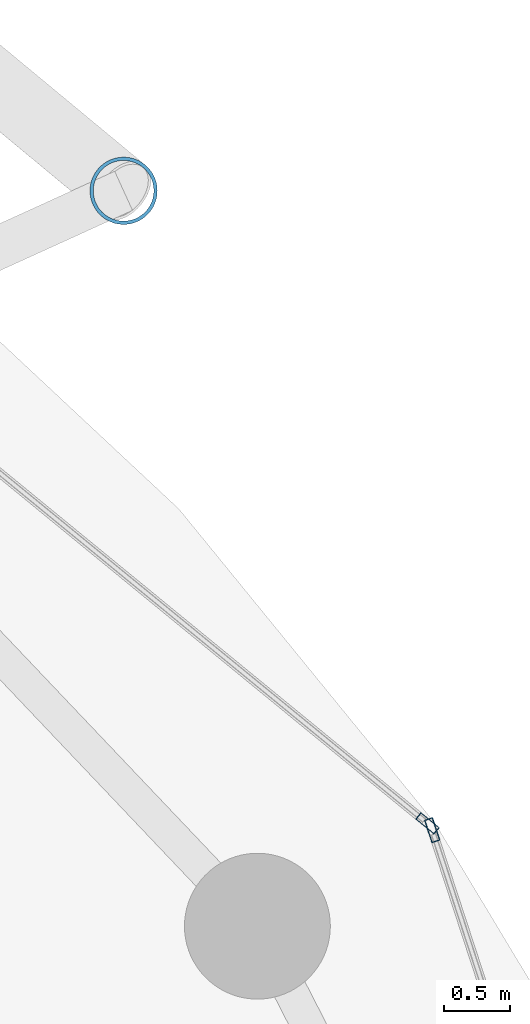
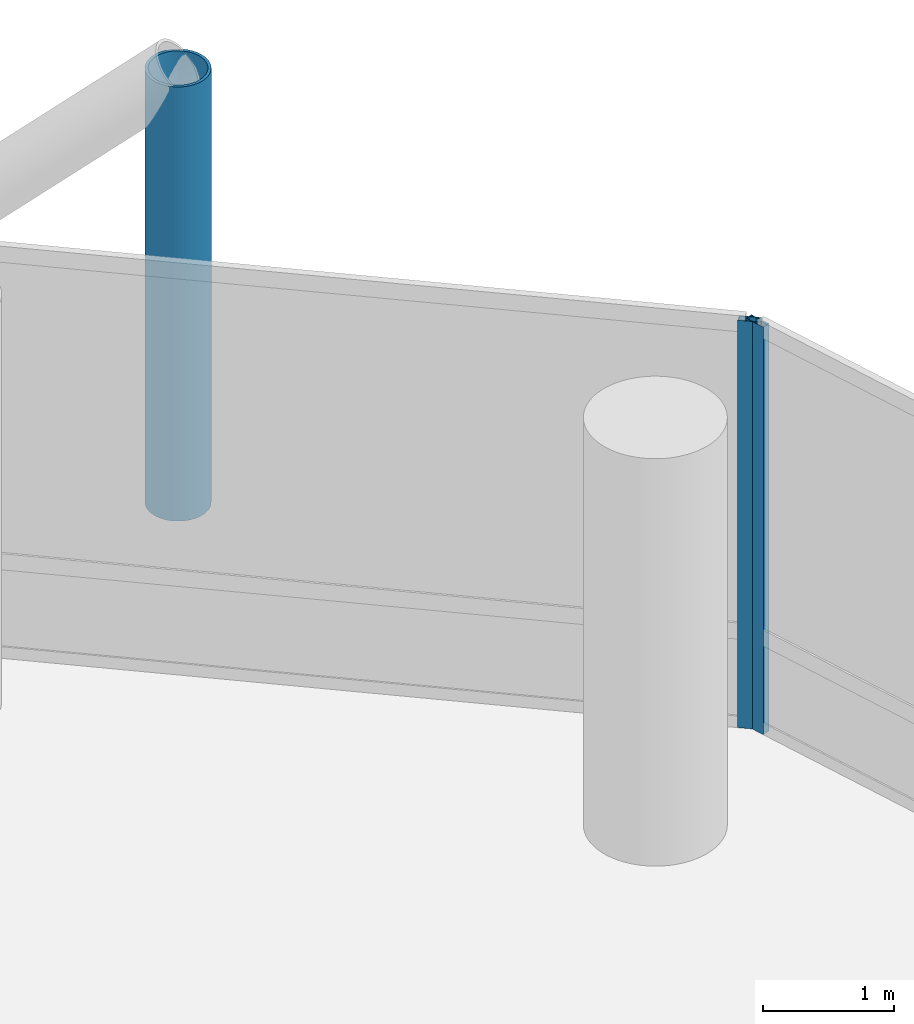
# One storey, part 19 of 25: 3 members, 2 elements without a shape of their own.
"""IFC4 building model written with IfcOpenShell, lengths in metres."""

import ifcopenshell
import ifcopenshell.guid

model = None  # the IFC model being written
_history = None  # IfcOwnerHistory: only IFC2X3 demands one
_inside = {}  # id of a spatial element -> (the spatial element, [elements in it])
_under = {}  # id of a project, library or spatial element -> (it, [spatial elements below it])
_declared = {}  # id of a project -> (the project, [libraries it declares])
_typed = {}  # id of a type object -> (the type object, [elements of that type])
_made_of = {}  # id of a material, layer set ... -> (it, [elements and type objects made of it])


def new_model(schema):
    """Start an empty IFC model of exactly this schema.

    Asked for "IFC4X3", IfcOpenShell would pick the latest addendum, in which some entities
    have other attributes; the version numbers below select the first issue.
    IFC2X3 requires an IfcOwnerHistory on every rooted entity: one is made here for all.
    """
    global model, _history
    if schema == "IFC4X3":
        model = ifcopenshell.file(schema_version=(4, 3, 0, 0))
    else:
        model = ifcopenshell.file(schema=schema)
    _inside.clear()
    _under.clear()
    _declared.clear()
    _typed.clear()
    _made_of.clear()
    _history = None
    if model.schema == "IFC2X3":
        org = make("IfcOrganization", Name="unknown")
        user = make(
            "IfcPersonAndOrganization",
            ThePerson=make("IfcPerson", FamilyName="unknown"),
            TheOrganization=org,
        )
        app = make(
            "IfcApplication",
            ApplicationDeveloper=org,
            Version="unknown",
            ApplicationFullName="unknown",
            ApplicationIdentifier="unknown",
        )
        _history = make(
            "IfcOwnerHistory",
            OwningUser=user,
            OwningApplication=app,
            ChangeAction="ADDED",
            CreationDate=0,
        )
    return model


def make(cls, **values):
    """One entity of the class cls with the attributes given. An attribute that is None is left unset."""
    return model.create_entity(
        cls, **{name: value for name, value in values.items() if value is not None}
    )


def rooted(cls, **values):
    """An entity with a GlobalId (a new one), such as an element, a storey or a relation."""
    return make(cls, GlobalId=ifcopenshell.guid.new(), OwnerHistory=_history, **values)


def si_unit(unit_type, name, prefix=None):
    """IfcSIUnit, for example si_unit("LENGTHUNIT", "METRE", prefix="MILLI")."""
    return make("IfcSIUnit", UnitType=unit_type, Prefix=prefix, Name=name)


def assignment(units):
    """IfcUnitAssignment: the units of a project."""
    return None if units is None else make("IfcUnitAssignment", Units=units)


def point(xyz):
    """IfcCartesianPoint."""
    return None if xyz is None else make("IfcCartesianPoint", Coordinates=xyz)


def direction(xyz):
    """IfcDirection."""
    return None if xyz is None else make("IfcDirection", DirectionRatios=xyz)


def frame(location, z_axis=None, x_axis=None):
    """IfcAxis2Placement3D, a coordinate frame: its origin and axes. An axis left out is left unset."""
    return make(
        "IfcAxis2Placement3D",
        Location=point(location),
        Axis=direction(z_axis),
        RefDirection=direction(x_axis),
    )


def frame_2d(location, x_axis=None):
    """IfcAxis2Placement2D, a coordinate frame in the plane: its origin and x axis."""
    return make(
        "IfcAxis2Placement2D", Location=point(location), RefDirection=direction(x_axis)
    )


def origin():
    """The frame at (0, 0, 0) with its axes left unset."""
    return frame((0.0, 0.0, 0.0))


def origin_2d():
    """The frame at (0, 0) in the plane with its x axis left unset."""
    return frame_2d((0.0, 0.0))


def place(relative_to, where):
    """IfcLocalPlacement: puts the frame where relative to a parent placement (None: the world)."""
    return make(
        "IfcLocalPlacement", PlacementRelTo=relative_to, RelativePlacement=where
    )


def context(
    kind, dimensions, precision=None, world=None, true_north=None, identifier=None
):
    """IfcGeometricRepresentationContext, for example the 3D "Model" context."""
    return make(
        "IfcGeometricRepresentationContext",
        ContextIdentifier=identifier,
        ContextType=kind,
        CoordinateSpaceDimension=dimensions,
        Precision=precision,
        WorldCoordinateSystem=world,
        TrueNorth=true_north,
    )


def subcontext(parent, identifier, kind, view, scale=None):
    """IfcGeometricRepresentationSubContext, for example "Body" below "Model"."""
    return make(
        "IfcGeometricRepresentationSubContext",
        ContextIdentifier=identifier,
        ContextType=kind,
        ParentContext=parent,
        TargetScale=scale,
        TargetView=view,
    )


def project(units=None, contexts=None):
    """IfcProject with its units and contexts."""
    return rooted(
        "IfcProject",
        Name="project",
        RepresentationContexts=contexts,
        UnitsInContext=assignment(units),
    )


def spatial(cls, under=None, at=None, **own):
    """A site, building, storey or space (cls), placed at a placement, below another one or the project."""
    s = rooted(cls, ObjectPlacement=at, **own)
    if under is not None:
        _under.setdefault(under.id(), (under, []))[1].append(s)
    return s


def profile(cls, at=None, kind="AREA", **sizes):
    """A parametric profile (cls). Its sizes go by their IFC names, for example OverallWidth=200.0."""
    return make(cls, ProfileType=kind, Position=at, **sizes)


def hollow_rectangle(**sizes):
    """IfcRectangleHollowProfileDef."""
    return profile("IfcRectangleHollowProfileDef", **sizes)


def hollow_circle(**sizes):
    """IfcCircleHollowProfileDef."""
    return profile("IfcCircleHollowProfileDef", **sizes)


def extrude(swept, where, along, depth):
    """IfcExtrudedAreaSolid: the profile swept, set in the frame where, extruded along a direction by depth."""
    return make(
        "IfcExtrudedAreaSolid",
        SweptArea=swept,
        Position=where,
        ExtrudedDirection=direction(along),
        Depth=depth,
    )


def shape(context_of_items, identifier, shape_type, items):
    """IfcShapeRepresentation: the items that make up one representation, for example the "Body"."""
    return make(
        "IfcShapeRepresentation",
        ContextOfItems=context_of_items,
        RepresentationIdentifier=identifier,
        RepresentationType=shape_type,
        Items=items,
    )


def material(Name=None, Category=None):
    """IfcMaterial."""
    return make("IfcMaterial", Name=Name, Category=Category)


def layer(
    of_material, thickness, ventilated=None, Name=None, Category=None, Priority=None
):
    """IfcMaterialLayer: one layer of a wall or slab, of a material (None: an air gap)."""
    return make(
        "IfcMaterialLayer",
        Material=of_material,
        LayerThickness=thickness,
        IsVentilated=ventilated,
        Name=Name,
        Category=Category,
        Priority=Priority,
    )


def layer_set(layers, Name=None):
    """IfcMaterialLayerSet."""
    return make("IfcMaterialLayerSet", MaterialLayers=layers, LayerSetName=Name)


def material_profile(
    of_material, cross_section, Name=None, Category=None, Priority=None
):
    """IfcMaterialProfile: a cross section and its material."""
    return make(
        "IfcMaterialProfile",
        Name=Name,
        Material=of_material,
        Profile=cross_section,
        Priority=Priority,
        Category=Category,
    )


def profile_set(profiles, Name=None, composite=None):
    """IfcMaterialProfileSet."""
    return make(
        "IfcMaterialProfileSet",
        Name=Name,
        MaterialProfiles=profiles,
        CompositeProfile=composite,
    )


def made_of(thing, what):
    """Note that an element or type object is made of a material, layer set ...; save() writes the relation."""
    if what is not None:
        _made_of.setdefault(what.id(), (what, []))[1].append(thing)
    return thing


def type_object(cls, material=None, **own):
    """A type object (cls), such as IfcWallType, which elements share."""
    return made_of(rooted(cls, **own), material)


def element(
    cls,
    number,
    at=None,
    inside=None,
    cuts=None,
    type_object=None,
    material=None,
    context=None,
    identifier="Body",
    shape_type=None,
    held_by="IfcProductDefinitionShape",
    body=None,
    shapes=None,
    **own,
):
    """One element of the class cls, such as IfcWall. Its Tag is "e" and its number.

    at: its placement. inside: the storey or other place that contains it. cuts: it is an
    opening in that element (IfcRelVoidsElement). A single representation is given by context,
    identifier, shape_type and body (its items); several are given by shapes. held_by: the class
    of the entity that holds the representations. save() writes the other relations.
    """
    e = rooted(cls, Tag="e%d" % number, ObjectPlacement=at, **own)
    if body is not None:
        shapes = [shape(context, identifier, shape_type, body)]
    if shapes is not None:
        e.Representation = make(held_by, Representations=shapes)
    if inside is not None:
        _inside.setdefault(inside.id(), (inside, []))[1].append(e)
    if cuts is not None:
        rooted(
            "IfcRelVoidsElement", RelatingBuildingElement=cuts, RelatedOpeningElement=e
        )
    if type_object is not None:
        _typed.setdefault(type_object.id(), (type_object, []))[1].append(e)
    return made_of(e, material)


def aggregate(whole, parts):
    """IfcRelAggregates: a whole, such as a stair, and the parts it consists of."""
    return rooted("IfcRelAggregates", RelatingObject=whole, RelatedObjects=parts)


def save(model, path):
    """Write the relations noted so far, then the file.

    IfcRelAggregates (storeys below a building ...), IfcRelContainedInSpatialStructure (elements
    in a storey), IfcRelDefinesByType, IfcRelAssociatesMaterial and IfcRelDeclares: one each for
    every whole, place, type object, material and project.
    """
    for whole, parts in _under.values():
        aggregate(whole, parts)
    for where, things in _inside.values():
        rooted(
            "IfcRelContainedInSpatialStructure",
            RelatedElements=things,
            RelatingStructure=where,
        )
    for kind, things in _typed.values():
        rooted("IfcRelDefinesByType", RelatedObjects=things, RelatingType=kind)
    for what, things in _made_of.values():
        rooted("IfcRelAssociatesMaterial", RelatedObjects=things, RelatingMaterial=what)
    for by, libraries in _declared.values():
        rooted("IfcRelDeclares", RelatingContext=by, RelatedDefinitions=libraries)
    model.write(path)


model = new_model("IFC4")

# Units and contexts
model_context = context("Model", 3, precision=1e-05, world=origin(), true_north=direction((0.0, 1.0)))
body_context = subcontext(model_context, "Body", "Model", "MODEL_VIEW")
ifc_project = project(units=[si_unit("LENGTHUNIT", "METRE"), si_unit("AREAUNIT", "SQUARE_METRE"), si_unit("VOLUMEUNIT", "CUBIC_METRE"), si_unit("PLANEANGLEUNIT", "RADIAN"), si_unit("MASSUNIT", "GRAM", prefix="KILO")], contexts=[model_context])

# Site, building, storey
site_placement = place(None, origin())
site = spatial("IfcSite", under=ifc_project, at=site_placement, CompositionType="ELEMENT")
building_placement = place(site_placement, origin())
building = spatial("IfcBuilding", under=site, at=building_placement, Name="Nuhasar Tower", CompositionType="ELEMENT")
storey_placement = place(building_placement, frame((0.0, 0.0, 57.449951171875)))
storey = spatial("IfcBuildingStorey", under=building, at=storey_placement, Name="L13", CompositionType="ELEMENT", Elevation=57.449951171875)

# Curtain wall, member
ifc_material_1 = material(Name="Aluminium 6063-T6", Category="aluminium")
ifc_layer = layer(ifc_material_1, 0.199951171875)
ifc_layer_set = layer_set([ifc_layer], Name="Aluminium 6063-T6")
curtain_wall_type = type_object("IfcCurtainWallType", Name="CW-Z1-OFF", PredefinedType="NOTDEFINED", material=ifc_layer_set)
curtain_wall_1_placement = place(storey_placement, origin())
curtain_wall_1 = element("IfcCurtainWall", 1, at=curtain_wall_1_placement, inside=storey, type_object=curtain_wall_type, Name="L13 Unitised Curtain Wall 01", PredefinedType="NOTDEFINED")
ifc_material_profile_1 = material_profile(ifc_material_1, hollow_rectangle(XDim=0.06494140625, YDim=0.179931640625, WallThickness=0.0048828125, at=origin_2d()), Name="CWM-2")
ifc_profile_set_1 = profile_set([ifc_material_profile_1], Name="Aluminium 6063-T6")
member_type_1 = type_object("IfcMemberType", Name="CW-MUL-S2", PredefinedType="MULLION", material=ifc_profile_set_1)
member_1_placement = place(storey_placement, frame((62.01220703125, 37.649169921875, 0.0), z_axis=(0.0, 0.0, 1.0), x_axis=(-0.950467534571, -0.310823849997, 0.0)))
member_1 = element("IfcMember", 2, at=member_1_placement, type_object=member_type_1, Name="CW-Z1 mullion 2", PredefinedType="MULLION", context=body_context, shape_type="SweptSolid", body=[
    extrude(hollow_rectangle(XDim=0.06494140625, YDim=0.179931640625, WallThickness=0.0048828125, at=origin_2d()), origin(), (0.0, 0.0, 1.0), 3.800048828125),
])
aggregate(curtain_wall_1, [member_1])

curtain_wall_2_placement = place(storey_placement, origin())
curtain_wall_2 = element("IfcCurtainWall", 3, at=curtain_wall_2_placement, inside=storey, type_object=curtain_wall_type, Name="L13 Unitised Curtain Wall 02", PredefinedType="NOTDEFINED")
member_2_placement = place(storey_placement, frame((61.976806640625, 37.70068359375, 0.0), z_axis=(0.0, 0.0, 1.0), x_axis=(-0.633744593376, -0.773542364946, 0.0)))
member_2 = element("IfcMember", 4, at=member_2_placement, type_object=member_type_1, Name="CW-Z1 mullion 1", PredefinedType="MULLION", context=body_context, shape_type="SweptSolid", body=[
    extrude(hollow_rectangle(XDim=0.06494140625, YDim=0.179931640625, WallThickness=0.0048828125, at=origin_2d()), origin(), (0.0, 0.0, 1.0), 3.800048828125),
])
aggregate(curtain_wall_2, [member_2])

# Member
ifc_material_2 = material(Name="Steel S460", Category="steel")
ifc_material_profile_2 = material_profile(ifc_material_2, hollow_circle(Radius=0.25390625, WallThickness=0.025390625, at=origin_2d()), Name="HSS508X25.4")
ifc_profile_set_2 = profile_set([ifc_material_profile_2], Name="Steel S460")
member_type_2 = type_object("IfcMemberType", Name="EXO-BRONZE-508", PredefinedType="BRACE", material=ifc_profile_set_2)
member_3_placement = place(storey_placement, frame((59.68505859375, 42.470947265625, 0.0), z_axis=(0.0, 0.0, 1.0), x_axis=(1.0, 0.0, 0.0)))
element("IfcMember", 5, at=member_3_placement, inside=storey, type_object=member_type_2, Name="L13 Exoskeleton Chord Column EC-02A", PredefinedType="BRACE", context=body_context, shape_type="SweptSolid", body=[
    extrude(hollow_circle(Radius=0.25390625, WallThickness=0.025390625, at=origin_2d()), origin(), (0.0, 0.0, 1.0), 4.050048828125),
])

save(model, "model.ifc")
